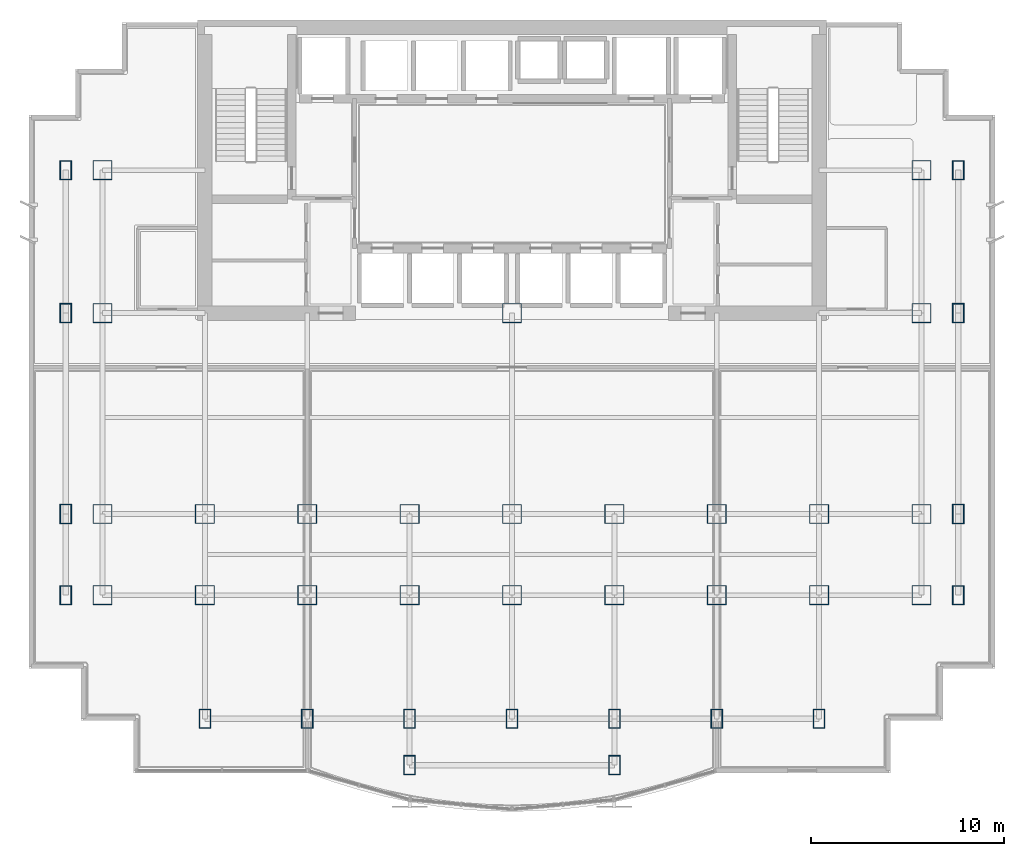
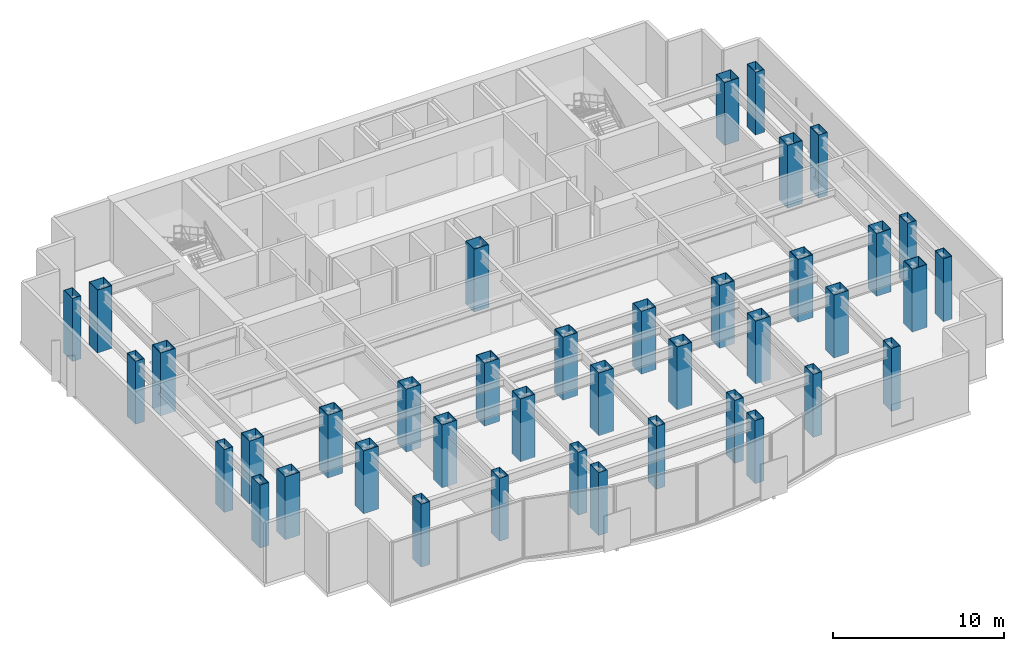
# One storey, part 1 of 9: 40 columns.
"""IFC4 building model written with IfcOpenShell, lengths in metres."""

from ifc_helpers import new_model, si_unit, direction, frame, origin, origin_2d, place, context, subcontext, project, spatial, hollow_rectangle, extrude, material, material_profile, profile_set, type_object, element, save


model = new_model("IFC4")

# Units and contexts
model_context = context("Model", 3, precision=1e-05, world=origin(), true_north=direction((0.0, 1.0)))
body_context = subcontext(model_context, "Body", "Model", "MODEL_VIEW")
ifc_project = project(units=[si_unit("LENGTHUNIT", "METRE"), si_unit("AREAUNIT", "SQUARE_METRE"), si_unit("VOLUMEUNIT", "CUBIC_METRE"), si_unit("PLANEANGLEUNIT", "RADIAN"), si_unit("MASSUNIT", "GRAM", prefix="KILO")], contexts=[model_context])

# Site, building, storey
site_placement = place(None, origin())
site = spatial("IfcSite", under=ifc_project, at=site_placement, CompositionType="ELEMENT")
building_placement = place(site_placement, origin())
building = spatial("IfcBuilding", under=site, at=building_placement, Name="Qianlan Lanfeng Residences", CompositionType="ELEMENT")
storey_placement = place(building_placement, frame((0.0, 0.0, 77.199951171875)))
storey = spatial("IfcBuildingStorey", under=building, at=storey_placement, Name="L20", CompositionType="ELEMENT", Elevation=77.199951171875)

# Columns
ifc_material = material(Name="Steel SN490B", Category="steel")
ifc_material_profile_1 = material_profile(ifc_material, hollow_rectangle(XDim=1.0, YDim=1.0, WallThickness=0.035888671875, at=origin_2d()), Name="BOX 1000x1000x36")
ifc_profile_set_1 = profile_set([ifc_material_profile_1], Name="Steel SN490B")
column_type_1 = type_object("IfcColumnType", Name="C-B1200", PredefinedType="COLUMN", material=ifc_profile_set_1)
for number, where, z_axis, x_axis, name in (
    (1, (26.5, 25.199951171875, 0.0), (0.0, 0.0, 1.0), (1.0, 0.0, 0.0), "L20 Structural Column CP_26.5_25.2"),
    (2, (10.60009765625, 14.800048828125, 0.0), (0.0, 0.0, 1.0), (1.0, 0.0, 0.0), "L20 Structural Column M_10.60_14.80"),
    (3, (10.60009765625, 10.60009765625, 0.0), (0.0, 0.0, 1.0), (1.0, 0.0, 0.0), "L20 Structural Column G_10.60_10.60"),
    (4, (15.89990234375, 14.800048828125, 0.0), (0.0, 0.0, 1.0), (1.0, 0.0, 0.0), "L20 Structural Column M_15.90_14.80"),
    (5, (15.89990234375, 10.60009765625, 0.0), (0.0, 0.0, 1.0), (1.0, 0.0, 0.0), "L20 Structural Column G_15.90_10.60"),
    (6, (21.199951171875, 14.800048828125, 0.0), (0.0, 0.0, 1.0), (1.0, 0.0, 0.0), "L20 Structural Column M_21.20_14.80"),
    (7, (21.199951171875, 10.60009765625, 0.0), (0.0, 0.0, 1.0), (1.0, 0.0, 0.0), "L20 Structural Column G_21.20_10.60"),
    (8, (26.5, 14.800048828125, 0.0), (0.0, 0.0, 1.0), (1.0, 0.0, 0.0), "L20 Structural Column M_26.50_14.80"),
    (9, (26.5, 10.60009765625, 0.0), (0.0, 0.0, 1.0), (1.0, 0.0, 0.0), "L20 Structural Column G_26.50_10.60"),
    (10, (31.800048828125, 14.800048828125, 0.0), (0.0, 0.0, 1.0), (1.0, 0.0, 0.0), "L20 Structural Column M_31.80_14.80"),
    (11, (31.800048828125, 10.60009765625, 0.0), (0.0, 0.0, 1.0), (1.0, 0.0, 0.0), "L20 Structural Column G_31.80_10.60"),
    (12, (37.10009765625, 14.800048828125, 0.0), (0.0, 0.0, 1.0), (1.0, 0.0, 0.0), "L20 Structural Column M_37.10_14.80"),
    (13, (37.10009765625, 10.60009765625, 0.0), (0.0, 0.0, 1.0), (1.0, 0.0, 0.0), "L20 Structural Column G_37.10_10.60"),
    (14, (42.39990234375, 14.800048828125, 0.0), (0.0, 0.0, 1.0), (1.0, 0.0, 0.0), "L20 Structural Column M_42.40_14.80"),
    (15, (42.39990234375, 10.60009765625, 0.0), (0.0, 0.0, 1.0), (1.0, 0.0, 0.0), "L20 Structural Column G_42.40_10.60"),
    (16, (5.300048828125, 10.60009765625, 0.0), (0.0, 0.0, 1.0), (1.0, 0.0, 0.0), "L20 Structural Column W_5.30_10.60"),
    (17, (5.300048828125, 14.800048828125, 0.0), (0.0, 0.0, 1.0), (1.0, 0.0, 0.0), "L20 Structural Column W_5.30_14.80"),
    (18, (5.300048828125, 25.199951171875, 0.0), (0.0, 0.0, 1.0), (1.0, 0.0, 0.0), "L20 Structural Column W_5.30_25.20"),
    (19, (5.300048828125, 32.60009765625, 0.0), (0.0, 0.0, 1.0), (1.0, 0.0, 0.0), "L20 Structural Column W_5.30_32.60"),
    (20, (47.699951171875, 10.60009765625, 0.0), (0.0, 0.0, 1.0), (1.0, 0.0, 0.0), "L20 Structural Column W_47.70_10.60"),
    (21, (47.699951171875, 14.800048828125, 0.0), (0.0, 0.0, 1.0), (1.0, 0.0, 0.0), "L20 Structural Column W_47.70_14.80"),
    (22, (47.699951171875, 25.199951171875, 0.0), (0.0, 0.0, 1.0), (1.0, 0.0, 0.0), "L20 Structural Column W_47.70_25.20"),
    (23, (47.699951171875, 32.60009765625, 0.0), (0.0, 0.0, 1.0), (1.0, 0.0, 0.0), "L20 Structural Column W_47.70_32.60"),
):
    element("IfcColumn", number, at=place(storey_placement, frame(where, z_axis=z_axis, x_axis=x_axis)), inside=storey, type_object=column_type_1, Name=name, PredefinedType="COLUMN", context=body_context, shape_type="SweptSolid", body=[
        extrude(hollow_rectangle(XDim=1.0, YDim=1.0, WallThickness=0.035888671875, at=origin_2d()), origin(), (0.0, 0.0, 1.0), 4.5),
    ])
ifc_material_profile_2 = material_profile(ifc_material, hollow_rectangle(XDim=0.60009765625, YDim=1.0, WallThickness=0.031982421875, at=origin_2d()), Name="BOX 1000x600x32")
ifc_profile_set_2 = profile_set([ifc_material_profile_2], Name="Steel SN490B")
column_type_2 = type_object("IfcColumnType", Name="CE-B1100", PredefinedType="COLUMN", material=ifc_profile_set_2)
for number, where, z_axis, x_axis, name in (
    (24, (21.199951171875, 1.800048828125, 0.0), (0.0, 0.0, 1.0), (1.0, 0.0, 0.0), "L20 Structural Column P_21.20_1.80"),
    (25, (31.800048828125, 1.800048828125, 0.0), (0.0, 0.0, 1.0), (1.0, 0.0, 0.0), "L20 Structural Column P_31.80_1.80"),
    (26, (10.60009765625, 4.199951171875, 0.0), (0.0, 0.0, 1.0), (1.0, 0.0, 0.0), "L20 Structural Column S_10.60_4.20"),
    (27, (15.89990234375, 4.199951171875, 0.0), (0.0, 0.0, 1.0), (1.0, 0.0, 0.0), "L20 Structural Column S_15.90_4.20"),
    (28, (21.199951171875, 4.199951171875, 0.0), (0.0, 0.0, 1.0), (1.0, 0.0, 0.0), "L20 Structural Column S_21.20_4.20"),
    (29, (26.5, 4.199951171875, 0.0), (0.0, 0.0, 1.0), (1.0, 0.0, 0.0), "L20 Structural Column S_26.50_4.20"),
    (30, (31.800048828125, 4.199951171875, 0.0), (0.0, 0.0, 1.0), (1.0, 0.0, 0.0), "L20 Structural Column S_31.80_4.20"),
    (31, (37.10009765625, 4.199951171875, 0.0), (0.0, 0.0, 1.0), (1.0, 0.0, 0.0), "L20 Structural Column S_37.10_4.20"),
    (32, (42.39990234375, 4.199951171875, 0.0), (0.0, 0.0, 1.0), (1.0, 0.0, 0.0), "L20 Structural Column S_42.40_4.20"),
    (33, (3.39990234375, 10.60009765625, 0.0), (0.0, 0.0, 1.0), (1.0, 0.0, 0.0), "L20 Structural Column W_3.40_10.60"),
    (34, (3.39990234375, 14.800048828125, 0.0), (0.0, 0.0, 1.0), (1.0, 0.0, 0.0), "L20 Structural Column W_3.40_14.80"),
    (35, (3.39990234375, 25.199951171875, 0.0), (0.0, 0.0, 1.0), (1.0, 0.0, 0.0), "L20 Structural Column W_3.40_25.20"),
    (36, (3.39990234375, 32.60009765625, 0.0), (0.0, 0.0, 1.0), (1.0, 0.0, 0.0), "L20 Structural Column W_3.40_32.60"),
    (37, (49.60009765625, 10.60009765625, 0.0), (0.0, 0.0, 1.0), (1.0, 0.0, 0.0), "L20 Structural Column W_49.60_10.60"),
    (38, (49.60009765625, 14.800048828125, 0.0), (0.0, 0.0, 1.0), (1.0, 0.0, 0.0), "L20 Structural Column W_49.60_14.80"),
    (39, (49.60009765625, 25.199951171875, 0.0), (0.0, 0.0, 1.0), (1.0, 0.0, 0.0), "L20 Structural Column W_49.60_25.20"),
    (40, (49.60009765625, 32.60009765625, 0.0), (0.0, 0.0, 1.0), (1.0, 0.0, 0.0), "L20 Structural Column W_49.60_32.60"),
):
    element("IfcColumn", number, at=place(storey_placement, frame(where, z_axis=z_axis, x_axis=x_axis)), inside=storey, type_object=column_type_2, Name=name, PredefinedType="COLUMN", context=body_context, shape_type="SweptSolid", body=[
        extrude(hollow_rectangle(XDim=0.60009765625, YDim=1.0, WallThickness=0.031982421875, at=origin_2d()), origin(), (0.0, 0.0, 1.0), 4.5),
    ])

save(model, "model.ifc")
